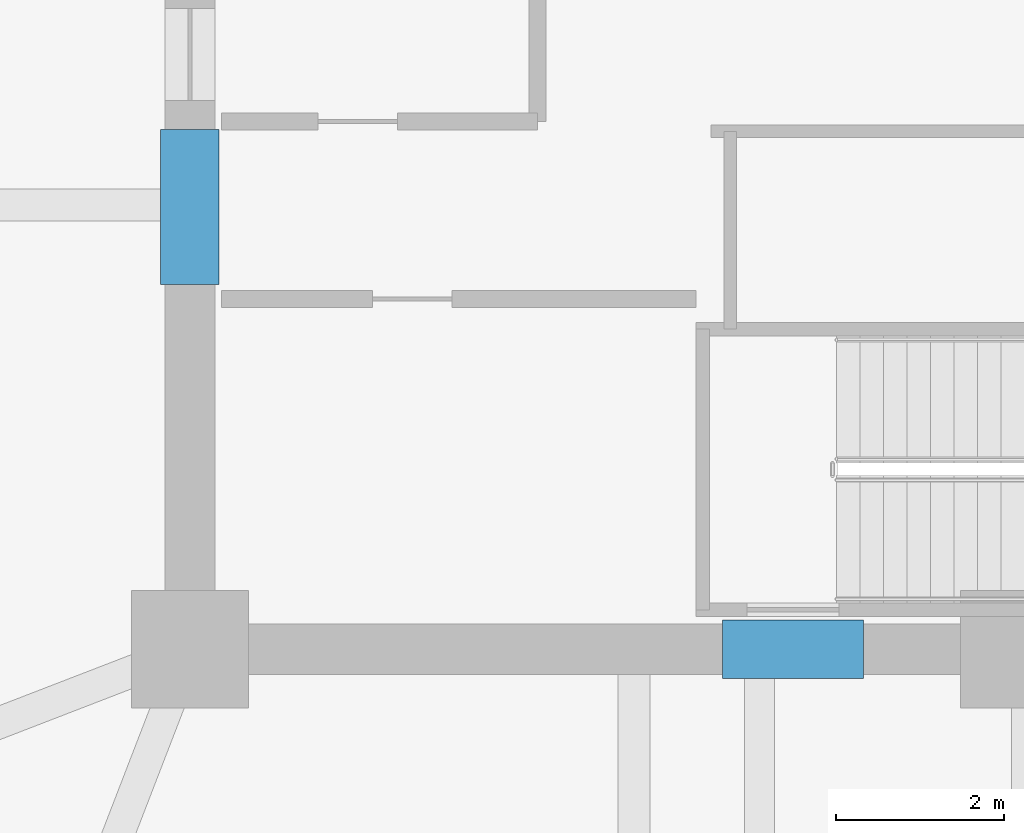
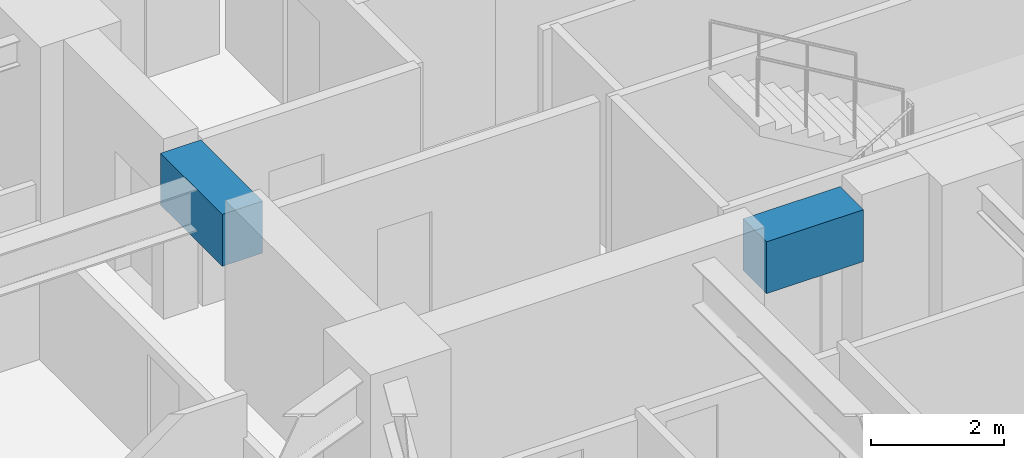
# One storey, part 9 of 36: 2 beams.
"""IFC4 building model written with IfcOpenShell, lengths in metres."""

from ifc_helpers import new_model, si_unit, direction, frame, origin, origin_2d, place, context, subcontext, project, spatial, rectangle, extrude, material, material_profile, profile_set, type_object, element, save


model = new_model("IFC4")

# Units and contexts
model_context = context("Model", 3, precision=1e-05, world=origin(), true_north=direction((0.0, 1.0)))
body_context = subcontext(model_context, "Body", "Model", "MODEL_VIEW")
ifc_project = project(units=[si_unit("LENGTHUNIT", "METRE"), si_unit("AREAUNIT", "SQUARE_METRE"), si_unit("VOLUMEUNIT", "CUBIC_METRE"), si_unit("PLANEANGLEUNIT", "RADIAN"), si_unit("MASSUNIT", "GRAM", prefix="KILO")], contexts=[model_context])

# Site, building, storey
site_placement = place(None, origin())
site = spatial("IfcSite", under=ifc_project, at=site_placement, CompositionType="ELEMENT")
building_placement = place(site_placement, origin())
building = spatial("IfcBuilding", under=site, at=building_placement, Name="Kolvaren Belvedere", CompositionType="ELEMENT")
storey_placement = place(building_placement, frame((0.0, 0.0, 23.800048828125)))
storey = spatial("IfcBuildingStorey", under=building, at=storey_placement, Name="L06", CompositionType="ELEMENT", Elevation=23.800048828125)

# Beams
ifc_material = material(Name="Concrete C60/75", Category="concrete")
ifc_material_profile = material_profile(ifc_material, rectangle(XDim=0.699951171875, YDim=0.949951171875, at=origin_2d()), Name="RC 700X950")
ifc_profile_set = profile_set([ifc_material_profile], Name="Concrete C60/75")
beam_type = type_object("IfcBeamType", Name="BM-LINT-950", PredefinedType="LINTEL", material=ifc_profile_set)
beam_1_placement = place(storey_placement, frame((-3.5400390625, -9.89990234375, 2.5849609375), z_axis=(1.0, 0.0, 0.0), x_axis=(0.0, 1.0, 0.0)))
element("IfcBeam", 1, at=beam_1_placement, inside=storey, type_object=beam_type, Name="L06 South Core Coupling Lintel", PredefinedType="LINTEL", context=body_context, shape_type="SweptSolid", body=[
    extrude(rectangle(XDim=0.699951171875, YDim=0.949951171875, at=origin_2d()), origin(), (0.0, 0.0, 1.0), 1.679931640625),
])
beam_2_placement = place(storey_placement, frame((-9.89990234375, -5.550048828125, 2.5849609375), z_axis=(0.0, 1.0, 0.0), x_axis=(-1.0, 0.0, 0.0)))
element("IfcBeam", 2, at=beam_2_placement, inside=storey, type_object=beam_type, Name="L06 West Core Coupling Lintel", PredefinedType="LINTEL", context=body_context, shape_type="SweptSolid", body=[
    extrude(rectangle(XDim=0.699951171875, YDim=0.949951171875, at=origin_2d()), origin(), (0.0, 0.0, 1.0), 1.85009765625),
])

save(model, "model.ifc")
